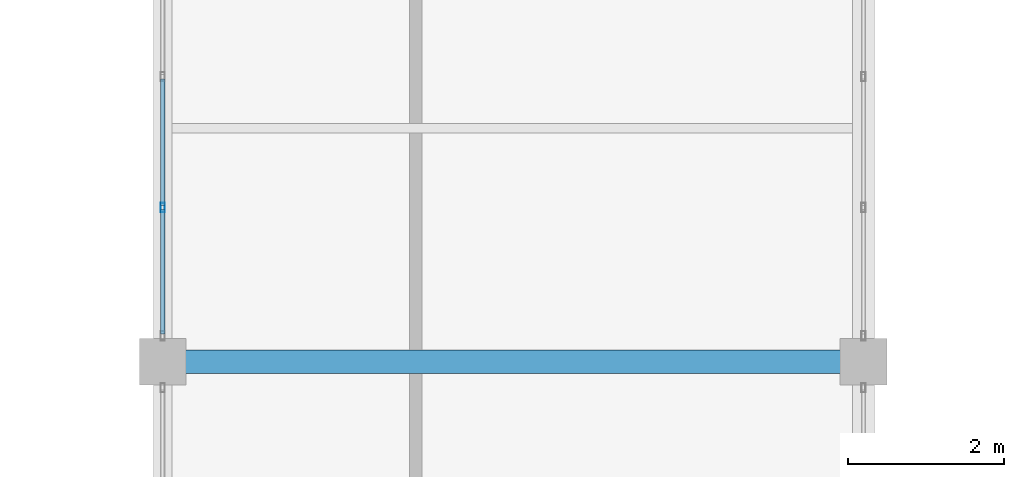
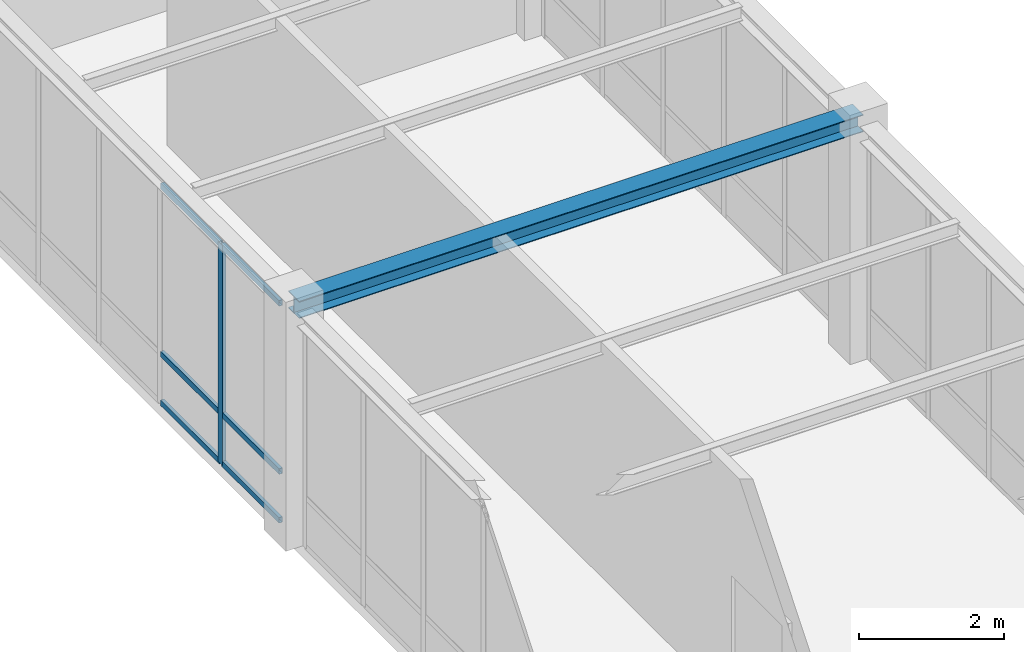
# One storey, part 29 of 97: 7 members, 1 beam, 1 element without a shape of its own.
"""IFC4 building model written with IfcOpenShell, lengths in metres."""

from ifc_helpers import new_model, si_unit, direction, frame, origin, origin_2d, place, context, subcontext, project, spatial, hollow_rectangle, i_section, extrude, material, material_profile, profile_set, type_object, element, aggregate, save


model = new_model("IFC4")

# Units and contexts
model_context = context("Model", 3, precision=1e-05, world=origin(), true_north=direction((0.0, 1.0)))
body_context = subcontext(model_context, "Body", "Model", "MODEL_VIEW")
ifc_project = project(units=[si_unit("LENGTHUNIT", "METRE"), si_unit("AREAUNIT", "SQUARE_METRE"), si_unit("VOLUMEUNIT", "CUBIC_METRE"), si_unit("PLANEANGLEUNIT", "RADIAN"), si_unit("MASSUNIT", "GRAM", prefix="KILO")], contexts=[model_context])

# Site, building, storey
site_placement = place(None, origin())
site = spatial("IfcSite", under=ifc_project, at=site_placement, CompositionType="ELEMENT")
building_placement = place(site_placement, origin())
building = spatial("IfcBuilding", under=site, at=building_placement, Name="Lykobir Media Centre", CompositionType="ELEMENT")
storey_placement = place(building_placement, frame((0.0, 0.0, 23.39990234375)))
storey = spatial("IfcBuildingStorey", under=building, at=storey_placement, Name="L05", CompositionType="ELEMENT", Elevation=23.39990234375)

# Beam
ifc_material_1 = material(Name="Steel S355", Category="steel")
ifc_material_profile_1 = material_profile(ifc_material_1, i_section(OverallWidth=0.300048828125, OverallDepth=0.2900390625, WebThickness=0.008544921875, FlangeThickness=0.013916015625, at=origin_2d()), Name="HEA 300")
ifc_profile_set_1 = profile_set([ifc_material_profile_1], Name="Steel S355")
beam_type = type_object("IfcBeamType", Name="BM-HEA300", PredefinedType="BEAM", material=ifc_profile_set_1)
beam_placement = place(storey_placement, frame((27.0, 54.0, 3.875), z_axis=(1.0, 0.0, 0.0), x_axis=(0.0, 1.0, 0.0)))
element("IfcBeam", 1, at=beam_placement, inside=storey, type_object=beam_type, Name="Beam BM-L05-0270-0540-0360-0540-2728", PredefinedType="BEAM", context=body_context, shape_type="SweptSolid", body=[
    extrude(i_section(OverallWidth=0.300048828125, OverallDepth=0.2900390625, WebThickness=0.008544921875, FlangeThickness=0.013916015625, at=origin_2d()), origin(), (0.0, 0.0, 1.0), 9.0),
])

# Curtain wall, members
ifc_material_2 = material(Name="Anodized Aluminium AW-6060", Category="aluminium")
curtain_wall_type = type_object("IfcCurtainWallType", Name="CW-COURT-B", PredefinedType="NOTDEFINED", material=ifc_material_2)
curtain_wall_placement = place(storey_placement, origin())
curtain_wall = element("IfcCurtainWall", 2, at=curtain_wall_placement, inside=storey, type_object=curtain_wall_type, Name="Curtain wall CW2-L05-0202", PredefinedType="NOTDEFINED")
ifc_material_profile_2 = material_profile(ifc_material_2, hollow_rectangle(XDim=0.054931640625, YDim=0.1201171875, WallThickness=0.003173828125, at=origin_2d()), Name="ALU MULLION 55x120")
ifc_profile_set_2 = profile_set([ifc_material_profile_2], Name="Anodized Aluminium AW-6060")
member_type_1 = type_object("IfcMemberType", Name="CWM-120", PredefinedType="MULLION", material=ifc_profile_set_2)
member_1_placement = place(storey_placement, frame((27.0, 55.98291015625, 0.0), z_axis=(0.0, 0.0, 1.0), x_axis=(-1.0, 0.0, 0.0)))
member_1 = element("IfcMember", 3, at=member_1_placement, type_object=member_type_1, Name="CW2-L05-0202 mullion 2", PredefinedType="MULLION", context=body_context, shape_type="SweptSolid", body=[
    extrude(hollow_rectangle(XDim=0.054931640625, YDim=0.1201171875, WallThickness=0.003173828125, at=origin_2d()), origin(), (0.0, 0.0, 1.0), 3.713134765625),
])
ifc_material_profile_3 = material_profile(ifc_material_2, hollow_rectangle(XDim=0.054931640625, YDim=0.094970703125, WallThickness=0.0029296875, at=origin_2d()), Name="ALU TRANSOM 55x95")
ifc_profile_set_3 = profile_set([ifc_material_profile_3], Name="Anodized Aluminium AW-6060")
member_type_2 = type_object("IfcMemberType", Name="CWT-095", PredefinedType="USERDEFINED", material=ifc_profile_set_3)
member_2_placement = place(storey_placement, frame((27.0, 54.360107421875, 0.027587890625), z_axis=(0.0, 1.0, 0.0), x_axis=(-1.0, 0.0, 0.0)))
member_2 = element("IfcMember", 4, at=member_2_placement, type_object=member_type_2, Name="CW2-L05-0202 transom 1.1", ObjectType="TRANSOM", PredefinedType="USERDEFINED", context=body_context, shape_type="SweptSolid", body=[
    extrude(hollow_rectangle(XDim=0.054931640625, YDim=0.094970703125, WallThickness=0.0029296875, at=origin_2d()), origin(), (0.0, 0.0, 1.0), 1.595458984375),
])
member_3_placement = place(storey_placement, frame((27.0, 54.360107421875, 0.85009765625), z_axis=(0.0, 1.0, 0.0), x_axis=(-1.0, 0.0, 0.0)))
member_3 = element("IfcMember", 5, at=member_3_placement, type_object=member_type_2, Name="CW2-L05-0202 transom 1.2", ObjectType="TRANSOM", PredefinedType="USERDEFINED", context=body_context, shape_type="SweptSolid", body=[
    extrude(hollow_rectangle(XDim=0.054931640625, YDim=0.094970703125, WallThickness=0.0029296875, at=origin_2d()), origin(), (0.0, 0.0, 1.0), 1.595458984375),
])
member_4_placement = place(storey_placement, frame((27.0, 54.360107421875, 3.685546875), z_axis=(0.0, 1.0, 0.0), x_axis=(-1.0, 0.0, 0.0)))
member_4 = element("IfcMember", 6, at=member_4_placement, type_object=member_type_2, Name="CW2-L05-0202 transom 1.3", ObjectType="TRANSOM", PredefinedType="USERDEFINED", context=body_context, shape_type="SweptSolid", body=[
    extrude(hollow_rectangle(XDim=0.054931640625, YDim=0.094970703125, WallThickness=0.0029296875, at=origin_2d()), origin(), (0.0, 0.0, 1.0), 1.595458984375),
])
member_5_placement = place(storey_placement, frame((27.0, 56.010498046875, 0.027587890625), z_axis=(0.0, 1.0, 0.0), x_axis=(-1.0, 0.0, 0.0)))
member_5 = element("IfcMember", 7, at=member_5_placement, type_object=member_type_2, Name="CW2-L05-0202 transom 2.1", ObjectType="TRANSOM", PredefinedType="USERDEFINED", context=body_context, shape_type="SweptSolid", body=[
    extrude(hollow_rectangle(XDim=0.054931640625, YDim=0.094970703125, WallThickness=0.0029296875, at=origin_2d()), origin(), (0.0, 0.0, 1.0), 1.623046875),
])
member_6_placement = place(storey_placement, frame((27.0, 56.010498046875, 0.85009765625), z_axis=(0.0, 1.0, 0.0), x_axis=(-1.0, 0.0, 0.0)))
member_6 = element("IfcMember", 8, at=member_6_placement, type_object=member_type_2, Name="CW2-L05-0202 transom 2.2", ObjectType="TRANSOM", PredefinedType="USERDEFINED", context=body_context, shape_type="SweptSolid", body=[
    extrude(hollow_rectangle(XDim=0.054931640625, YDim=0.094970703125, WallThickness=0.0029296875, at=origin_2d()), origin(), (0.0, 0.0, 1.0), 1.623046875),
])
member_7_placement = place(storey_placement, frame((27.0, 56.010498046875, 3.685546875), z_axis=(0.0, 1.0, 0.0), x_axis=(-1.0, 0.0, 0.0)))
member_7 = element("IfcMember", 9, at=member_7_placement, type_object=member_type_2, Name="CW2-L05-0202 transom 2.3", ObjectType="TRANSOM", PredefinedType="USERDEFINED", context=body_context, shape_type="SweptSolid", body=[
    extrude(hollow_rectangle(XDim=0.054931640625, YDim=0.094970703125, WallThickness=0.0029296875, at=origin_2d()), origin(), (0.0, 0.0, 1.0), 1.623046875),
])
aggregate(curtain_wall, [member_1, member_2, member_3, member_4, member_5, member_6, member_7])

save(model, "model.ifc")
